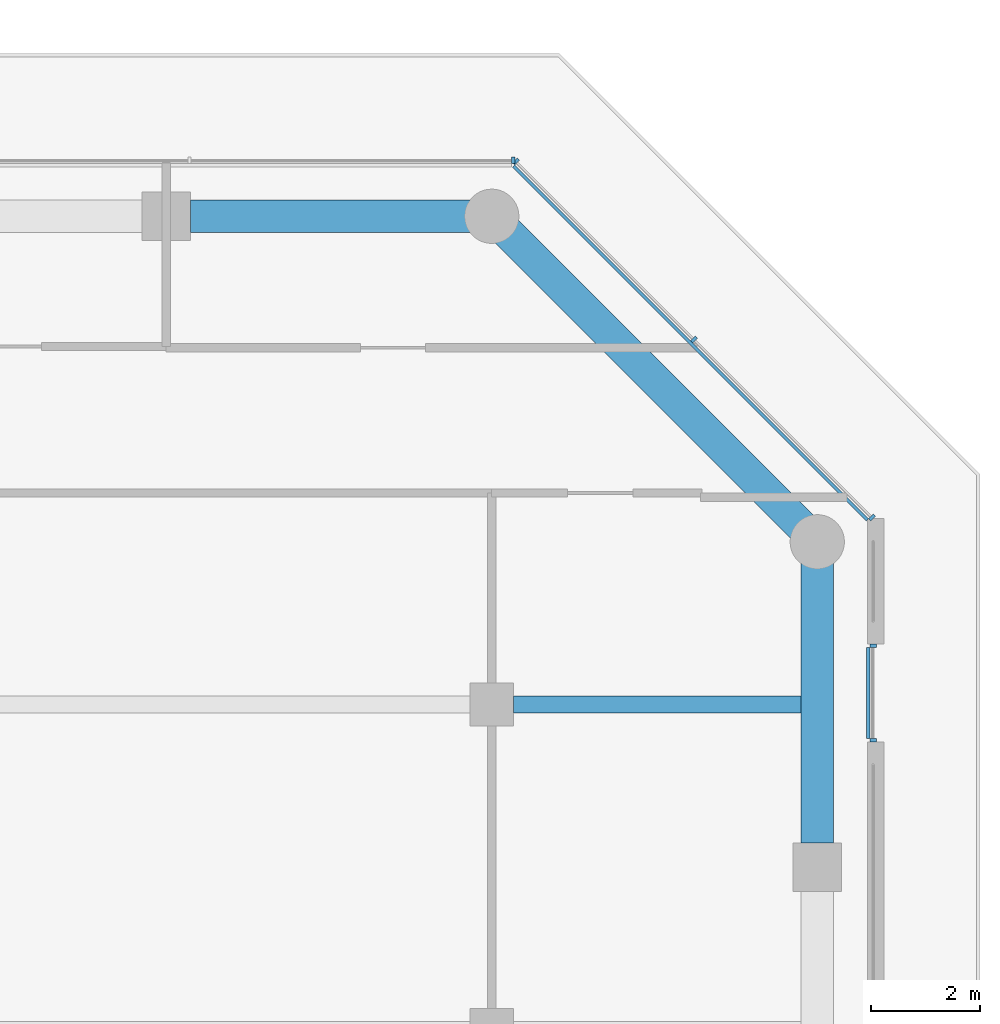
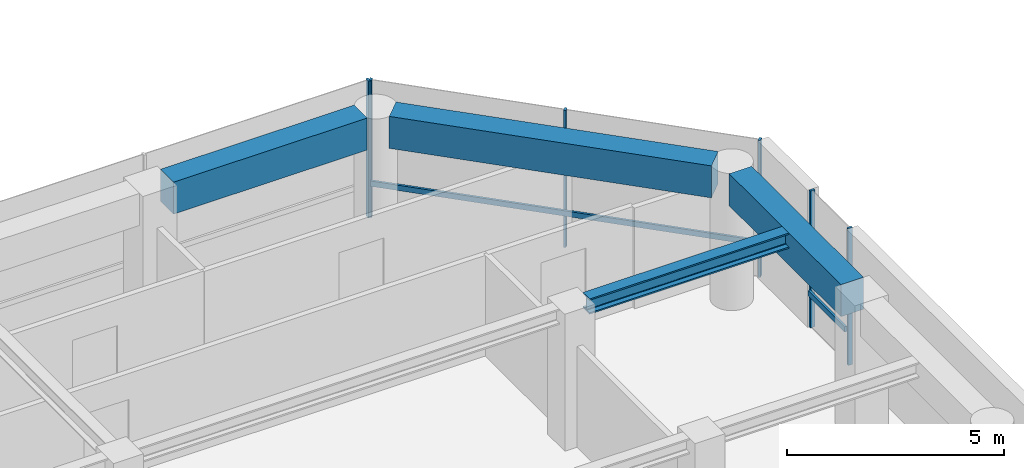
# One storey, part 9 of 24: 8 members, 4 beams, 3 elements without a shape of their own.
"""IFC4 building model written with IfcOpenShell, lengths in metres."""

import ifcopenshell
import ifcopenshell.guid

model = None  # the IFC model being written
_history = None  # IfcOwnerHistory: only IFC2X3 demands one
_inside = {}  # id of a spatial element -> (the spatial element, [elements in it])
_under = {}  # id of a project, library or spatial element -> (it, [spatial elements below it])
_declared = {}  # id of a project -> (the project, [libraries it declares])
_typed = {}  # id of a type object -> (the type object, [elements of that type])
_made_of = {}  # id of a material, layer set ... -> (it, [elements and type objects made of it])


def new_model(schema):
    """Start an empty IFC model of exactly this schema.

    Asked for "IFC4X3", IfcOpenShell would pick the latest addendum, in which some entities
    have other attributes; the version numbers below select the first issue.
    IFC2X3 requires an IfcOwnerHistory on every rooted entity: one is made here for all.
    """
    global model, _history
    if schema == "IFC4X3":
        model = ifcopenshell.file(schema_version=(4, 3, 0, 0))
    else:
        model = ifcopenshell.file(schema=schema)
    _inside.clear()
    _under.clear()
    _declared.clear()
    _typed.clear()
    _made_of.clear()
    _history = None
    if model.schema == "IFC2X3":
        org = make("IfcOrganization", Name="unknown")
        user = make(
            "IfcPersonAndOrganization",
            ThePerson=make("IfcPerson", FamilyName="unknown"),
            TheOrganization=org,
        )
        app = make(
            "IfcApplication",
            ApplicationDeveloper=org,
            Version="unknown",
            ApplicationFullName="unknown",
            ApplicationIdentifier="unknown",
        )
        _history = make(
            "IfcOwnerHistory",
            OwningUser=user,
            OwningApplication=app,
            ChangeAction="ADDED",
            CreationDate=0,
        )
    return model


def make(cls, **values):
    """One entity of the class cls with the attributes given. An attribute that is None is left unset."""
    return model.create_entity(
        cls, **{name: value for name, value in values.items() if value is not None}
    )


def rooted(cls, **values):
    """An entity with a GlobalId (a new one), such as an element, a storey or a relation."""
    return make(cls, GlobalId=ifcopenshell.guid.new(), OwnerHistory=_history, **values)


def si_unit(unit_type, name, prefix=None):
    """IfcSIUnit, for example si_unit("LENGTHUNIT", "METRE", prefix="MILLI")."""
    return make("IfcSIUnit", UnitType=unit_type, Prefix=prefix, Name=name)


def assignment(units):
    """IfcUnitAssignment: the units of a project."""
    return None if units is None else make("IfcUnitAssignment", Units=units)


def point(xyz):
    """IfcCartesianPoint."""
    return None if xyz is None else make("IfcCartesianPoint", Coordinates=xyz)


def direction(xyz):
    """IfcDirection."""
    return None if xyz is None else make("IfcDirection", DirectionRatios=xyz)


def frame(location, z_axis=None, x_axis=None):
    """IfcAxis2Placement3D, a coordinate frame: its origin and axes. An axis left out is left unset."""
    return make(
        "IfcAxis2Placement3D",
        Location=point(location),
        Axis=direction(z_axis),
        RefDirection=direction(x_axis),
    )


def frame_2d(location, x_axis=None):
    """IfcAxis2Placement2D, a coordinate frame in the plane: its origin and x axis."""
    return make(
        "IfcAxis2Placement2D", Location=point(location), RefDirection=direction(x_axis)
    )


def origin():
    """The frame at (0, 0, 0) with its axes left unset."""
    return frame((0.0, 0.0, 0.0))


def origin_2d():
    """The frame at (0, 0) in the plane with its x axis left unset."""
    return frame_2d((0.0, 0.0))


def place(relative_to, where):
    """IfcLocalPlacement: puts the frame where relative to a parent placement (None: the world)."""
    return make(
        "IfcLocalPlacement", PlacementRelTo=relative_to, RelativePlacement=where
    )


def context(
    kind, dimensions, precision=None, world=None, true_north=None, identifier=None
):
    """IfcGeometricRepresentationContext, for example the 3D "Model" context."""
    return make(
        "IfcGeometricRepresentationContext",
        ContextIdentifier=identifier,
        ContextType=kind,
        CoordinateSpaceDimension=dimensions,
        Precision=precision,
        WorldCoordinateSystem=world,
        TrueNorth=true_north,
    )


def subcontext(parent, identifier, kind, view, scale=None):
    """IfcGeometricRepresentationSubContext, for example "Body" below "Model"."""
    return make(
        "IfcGeometricRepresentationSubContext",
        ContextIdentifier=identifier,
        ContextType=kind,
        ParentContext=parent,
        TargetScale=scale,
        TargetView=view,
    )


def project(units=None, contexts=None):
    """IfcProject with its units and contexts."""
    return rooted(
        "IfcProject",
        Name="project",
        RepresentationContexts=contexts,
        UnitsInContext=assignment(units),
    )


def spatial(cls, under=None, at=None, **own):
    """A site, building, storey or space (cls), placed at a placement, below another one or the project."""
    s = rooted(cls, ObjectPlacement=at, **own)
    if under is not None:
        _under.setdefault(under.id(), (under, []))[1].append(s)
    return s


def profile(cls, at=None, kind="AREA", **sizes):
    """A parametric profile (cls). Its sizes go by their IFC names, for example OverallWidth=200.0."""
    return make(cls, ProfileType=kind, Position=at, **sizes)


def rectangle(**sizes):
    """IfcRectangleProfileDef."""
    return profile("IfcRectangleProfileDef", **sizes)


def i_section(**sizes):
    """IfcIShapeProfileDef."""
    return profile("IfcIShapeProfileDef", **sizes)


def extrude(swept, where, along, depth):
    """IfcExtrudedAreaSolid: the profile swept, set in the frame where, extruded along a direction by depth."""
    return make(
        "IfcExtrudedAreaSolid",
        SweptArea=swept,
        Position=where,
        ExtrudedDirection=direction(along),
        Depth=depth,
    )


def shape(context_of_items, identifier, shape_type, items):
    """IfcShapeRepresentation: the items that make up one representation, for example the "Body"."""
    return make(
        "IfcShapeRepresentation",
        ContextOfItems=context_of_items,
        RepresentationIdentifier=identifier,
        RepresentationType=shape_type,
        Items=items,
    )


def material(Name=None, Category=None):
    """IfcMaterial."""
    return make("IfcMaterial", Name=Name, Category=Category)


def layer(
    of_material, thickness, ventilated=None, Name=None, Category=None, Priority=None
):
    """IfcMaterialLayer: one layer of a wall or slab, of a material (None: an air gap)."""
    return make(
        "IfcMaterialLayer",
        Material=of_material,
        LayerThickness=thickness,
        IsVentilated=ventilated,
        Name=Name,
        Category=Category,
        Priority=Priority,
    )


def layer_set(layers, Name=None):
    """IfcMaterialLayerSet."""
    return make("IfcMaterialLayerSet", MaterialLayers=layers, LayerSetName=Name)


def material_profile(
    of_material, cross_section, Name=None, Category=None, Priority=None
):
    """IfcMaterialProfile: a cross section and its material."""
    return make(
        "IfcMaterialProfile",
        Name=Name,
        Material=of_material,
        Profile=cross_section,
        Priority=Priority,
        Category=Category,
    )


def profile_set(profiles, Name=None, composite=None):
    """IfcMaterialProfileSet."""
    return make(
        "IfcMaterialProfileSet",
        Name=Name,
        MaterialProfiles=profiles,
        CompositeProfile=composite,
    )


def made_of(thing, what):
    """Note that an element or type object is made of a material, layer set ...; save() writes the relation."""
    if what is not None:
        _made_of.setdefault(what.id(), (what, []))[1].append(thing)
    return thing


def type_object(cls, material=None, **own):
    """A type object (cls), such as IfcWallType, which elements share."""
    return made_of(rooted(cls, **own), material)


def element(
    cls,
    number,
    at=None,
    inside=None,
    cuts=None,
    type_object=None,
    material=None,
    context=None,
    identifier="Body",
    shape_type=None,
    held_by="IfcProductDefinitionShape",
    body=None,
    shapes=None,
    **own,
):
    """One element of the class cls, such as IfcWall. Its Tag is "e" and its number.

    at: its placement. inside: the storey or other place that contains it. cuts: it is an
    opening in that element (IfcRelVoidsElement). A single representation is given by context,
    identifier, shape_type and body (its items); several are given by shapes. held_by: the class
    of the entity that holds the representations. save() writes the other relations.
    """
    e = rooted(cls, Tag="e%d" % number, ObjectPlacement=at, **own)
    if body is not None:
        shapes = [shape(context, identifier, shape_type, body)]
    if shapes is not None:
        e.Representation = make(held_by, Representations=shapes)
    if inside is not None:
        _inside.setdefault(inside.id(), (inside, []))[1].append(e)
    if cuts is not None:
        rooted(
            "IfcRelVoidsElement", RelatingBuildingElement=cuts, RelatedOpeningElement=e
        )
    if type_object is not None:
        _typed.setdefault(type_object.id(), (type_object, []))[1].append(e)
    return made_of(e, material)


def aggregate(whole, parts):
    """IfcRelAggregates: a whole, such as a stair, and the parts it consists of."""
    return rooted("IfcRelAggregates", RelatingObject=whole, RelatedObjects=parts)


def save(model, path):
    """Write the relations noted so far, then the file.

    IfcRelAggregates (storeys below a building ...), IfcRelContainedInSpatialStructure (elements
    in a storey), IfcRelDefinesByType, IfcRelAssociatesMaterial and IfcRelDeclares: one each for
    every whole, place, type object, material and project.
    """
    for whole, parts in _under.values():
        aggregate(whole, parts)
    for where, things in _inside.values():
        rooted(
            "IfcRelContainedInSpatialStructure",
            RelatedElements=things,
            RelatingStructure=where,
        )
    for kind, things in _typed.values():
        rooted("IfcRelDefinesByType", RelatedObjects=things, RelatingType=kind)
    for what, things in _made_of.values():
        rooted("IfcRelAssociatesMaterial", RelatedObjects=things, RelatingMaterial=what)
    for by, libraries in _declared.values():
        rooted("IfcRelDeclares", RelatingContext=by, RelatedDefinitions=libraries)
    model.write(path)


model = new_model("IFC4")

# Units and contexts
model_context = context("Model", 3, precision=1e-05, world=origin(), true_north=direction((0.0, 1.0)))
body_context = subcontext(model_context, "Body", "Model", "MODEL_VIEW")
ifc_project = project(units=[si_unit("LENGTHUNIT", "METRE"), si_unit("AREAUNIT", "SQUARE_METRE"), si_unit("VOLUMEUNIT", "CUBIC_METRE"), si_unit("PLANEANGLEUNIT", "RADIAN"), si_unit("MASSUNIT", "GRAM", prefix="KILO")], contexts=[model_context])

# Site, building, storey
site_placement = place(None, origin())
site = spatial("IfcSite", under=ifc_project, at=site_placement, CompositionType="ELEMENT")
building_placement = place(site_placement, origin())
building = spatial("IfcBuilding", under=site, at=building_placement, Name="Welwitschia Terrace Campus", CompositionType="ELEMENT")
storey_placement = place(building_placement, frame((0.0, 0.0, 125.60009765625)))
storey = spatial("IfcBuildingStorey", under=building, at=storey_placement, Name="L28", CompositionType="ELEMENT", Elevation=125.60009765625)

# Beam
ifc_material_1 = material(Name="Steel S355", Category="steel")
ifc_material_profile_1 = material_profile(ifc_material_1, i_section(OverallWidth=0.306884765625, OverallDepth=0.431884765625, WebThickness=0.02099609375, FlangeThickness=0.0400390625, FilletRadius=0.027099609375, at=origin_2d()))
ifc_profile_set_1 = profile_set([ifc_material_profile_1], Name="Steel S355")
beam_type_1 = type_object("IfcBeamType", Name="Interior girder HE 400 M", PredefinedType="BEAM", material=ifc_profile_set_1)
beam_1_placement = place(storey_placement, frame((48.400390625, 19.0, 3.6337890625), z_axis=(1.0, 0.0, 0.0), x_axis=(0.0, 1.0, 0.0)))
element("IfcBeam", 1, at=beam_1_placement, inside=storey, type_object=beam_type_1, Name="Girder GB3", PredefinedType="BEAM", context=body_context, shape_type="SweptSolid", body=[
    extrude(i_section(OverallWidth=0.306884765625, OverallDepth=0.431884765625, WebThickness=0.02099609375, FlangeThickness=0.0400390625, FilletRadius=0.027099609375, at=origin_2d()), origin(), (0.0, 0.0, 1.0), 5.609619140625),
])

# Curtain wall, members
ifc_material_2 = material(Name="Bronze anodised aluminium", Category="aluminium")
ifc_layer = layer(ifc_material_2, 0.1201171875)
ifc_layer_set = layer_set([ifc_layer], Name="Bronze anodised aluminium")
curtain_wall_type = type_object("IfcCurtainWallType", Name="Curtain wall CW2 tower 6000", PredefinedType="NOTDEFINED", material=ifc_layer_set)
curtain_wall_1_placement = place(storey_placement, origin())
curtain_wall_1 = element("IfcCurtainWall", 2, at=curtain_wall_1_placement, inside=storey, type_object=curtain_wall_type, Name="CW L28.6.S0", PredefinedType="NOTDEFINED")
ifc_material_3 = material(Name="Bronze anodised aluminium", Category="aluminium")
ifc_material_profile_2 = material_profile(ifc_material_3, rectangle(XDim=0.1201171875, YDim=0.06005859375, at=origin_2d()))
ifc_profile_set_2 = profile_set([ifc_material_profile_2], Name="Bronze anodised aluminium")
member_type_1 = type_object("IfcMemberType", Name="Mullion 60x120", PredefinedType="MULLION", material=ifc_profile_set_2)
member_1_placement = place(storey_placement, frame((55.030029296875, 18.34375, 0.0), z_axis=(0.0, 0.0, 1.0), x_axis=(-1.0, 0.0, 0.0)))
member_1 = element("IfcMember", 3, at=member_1_placement, type_object=member_type_1, Name="Mullion L28.6.S0.0", PredefinedType="MULLION", context=body_context, shape_type="SweptSolid", body=[
    extrude(rectangle(XDim=0.1201171875, YDim=0.06005859375, at=origin_2d()), origin(), (0.0, 0.0, 1.0), 3.849853515625),
])
member_2_placement = place(storey_placement, frame((55.030029296875, 20.083740234375, 0.0), z_axis=(0.0, 0.0, 1.0), x_axis=(-1.0, 0.0, 0.0)))
member_2 = element("IfcMember", 4, at=member_2_placement, type_object=member_type_1, Name="Mullion L28.6.S0.1", PredefinedType="MULLION", context=body_context, shape_type="SweptSolid", body=[
    extrude(rectangle(XDim=0.1201171875, YDim=0.06005859375, at=origin_2d()), origin(), (0.0, 0.0, 1.0), 3.849853515625),
])

curtain_wall_2_placement = place(storey_placement, origin())
curtain_wall_2 = element("IfcCurtainWall", 5, at=curtain_wall_2_placement, inside=storey, type_object=curtain_wall_type, Name="CW L28.7.0", PredefinedType="NOTDEFINED")
member_3_placement = place(storey_placement, frame((55.0087890625, 22.44775390625, 0.0), z_axis=(0.0, 0.0, 1.0), x_axis=(-0.707106781187, -0.707106781187, 0.0)))
member_3 = element("IfcMember", 6, at=member_3_placement, type_object=member_type_1, Name="Mullion L28.7.0.0", PredefinedType="MULLION", context=body_context, shape_type="SweptSolid", body=[
    extrude(rectangle(XDim=0.1201171875, YDim=0.06005859375, at=origin_2d()), origin(), (0.0, 0.0, 1.0), 3.849853515625),
])
member_4_placement = place(storey_placement, frame((51.728271484375, 25.728271484375, 0.0), z_axis=(0.0, 0.0, 1.0), x_axis=(-0.707106781187, -0.707106781187, 0.0)))
member_4 = element("IfcMember", 7, at=member_4_placement, type_object=member_type_1, Name="Mullion L28.7.0.1", PredefinedType="MULLION", context=body_context, shape_type="SweptSolid", body=[
    extrude(rectangle(XDim=0.1201171875, YDim=0.06005859375, at=origin_2d()), origin(), (0.0, 0.0, 1.0), 3.849853515625),
])
member_5_placement = place(storey_placement, frame((48.44775390625, 29.0087890625, 0.0), z_axis=(0.0, 0.0, 1.0), x_axis=(-0.707106781187, -0.707106781187, 0.0)))
member_5 = element("IfcMember", 8, at=member_5_placement, type_object=member_type_1, Name="Mullion L28.7.0.2", PredefinedType="MULLION", context=body_context, shape_type="SweptSolid", body=[
    extrude(rectangle(XDim=0.1201171875, YDim=0.06005859375, at=origin_2d()), origin(), (0.0, 0.0, 1.0), 3.849853515625),
])

# Curtain wall, member
curtain_wall_3_placement = place(storey_placement, origin())
curtain_wall_3 = element("IfcCurtainWall", 9, at=curtain_wall_3_placement, inside=storey, type_object=curtain_wall_type, Name="CW L28.8.0", PredefinedType="NOTDEFINED")
member_6_placement = place(storey_placement, frame((48.396728515625, 29.030029296875, 0.0), z_axis=(0.0, 0.0, 1.0), x_axis=(0.0, -1.0, 0.0)))
member_6 = element("IfcMember", 10, at=member_6_placement, type_object=member_type_1, Name="Mullion L28.8.0.0", PredefinedType="MULLION", context=body_context, shape_type="SweptSolid", body=[
    extrude(rectangle(XDim=0.1201171875, YDim=0.06005859375, at=origin_2d()), origin(), (0.0, 0.0, 1.0), 3.849853515625),
])
aggregate(curtain_wall_3, [member_6])

# Beams
ifc_material_4 = material(Name="Concrete C60/75", Category="concrete")
ifc_material_profile_3 = material_profile(ifc_material_4, rectangle(XDim=0.60009765625, YDim=0.89990234375, at=origin_2d()))
ifc_profile_set_3 = profile_set([ifc_material_profile_3], Name="Concrete C60/75")
beam_type_2 = type_object("IfcBeamType", Name="Ring spandrel 600x900", PredefinedType="SPANDREL", material=ifc_profile_set_3)
beam_2_placement = place(storey_placement, frame((54.0, 16.450439453125, 3.39990234375), z_axis=(0.0, 1.0, 0.0), x_axis=(-1.0, 0.0, 0.0)))
element("IfcBeam", 11, at=beam_2_placement, inside=storey, type_object=beam_type_2, Name="Spandrel SP2", PredefinedType="SPANDREL", context=body_context, shape_type="SweptSolid", body=[
    extrude(rectangle(XDim=0.60009765625, YDim=0.89990234375, at=origin_2d()), origin(), (0.0, 0.0, 1.0), 5.149169921875),
])
beam_3_placement = place(storey_placement, frame((53.716796875, 22.283203125, 3.39990234375), z_axis=(-0.707106781187, 0.707106781187, 0.0), x_axis=(-0.707106781187, -0.707106781187, 0.0)))
element("IfcBeam", 12, at=beam_3_placement, inside=storey, type_object=beam_type_2, Name="Spandrel SP2", PredefinedType="SPANDREL", context=body_context, shape_type="SweptSolid", body=[
    extrude(rectangle(XDim=0.60009765625, YDim=0.89990234375, at=origin_2d()), origin(), (0.0, 0.0, 1.0), 7.684326171875),
])
beam_4_placement = place(storey_placement, frame((47.599609375, 28.0, 3.39990234375), z_axis=(-1.0, 0.0, 0.0), x_axis=(0.0, -1.0, 0.0)))
element("IfcBeam", 13, at=beam_4_placement, inside=storey, type_object=beam_type_2, Name="Spandrel SP2", PredefinedType="SPANDREL", context=body_context, shape_type="SweptSolid", body=[
    extrude(rectangle(XDim=0.60009765625, YDim=0.89990234375, at=origin_2d()), origin(), (0.0, 0.0, 1.0), 5.149169921875),
])

# Member
ifc_material_5 = material(Name="Bronze anodised aluminium", Category="aluminium")
ifc_material_profile_4 = material_profile(ifc_material_5, rectangle(XDim=0.06005859375, YDim=0.14990234375, at=origin_2d()))
ifc_profile_set_4 = profile_set([ifc_material_profile_4], Name="Bronze anodised aluminium")
member_type_2 = type_object("IfcMemberType", Name="Transom 60x150", PredefinedType="USERDEFINED", material=ifc_profile_set_4)
member_7_placement = place(storey_placement, frame((54.93994140625, 18.373779296875, 1.0), z_axis=(0.0, 1.0, 0.0), x_axis=(-1.0, 0.0, 0.0)))
member_7 = element("IfcMember", 14, at=member_7_placement, type_object=member_type_2, Name="Transom L28.6.S0", ObjectType="TRANSOM", PredefinedType="USERDEFINED", context=body_context, shape_type="SweptSolid", body=[
    extrude(rectangle(XDim=0.06005859375, YDim=0.14990234375, at=origin_2d()), origin(), (0.0, 0.0, 1.0), 1.68017578125),
])

aggregate(curtain_wall_1, [member_1, member_2, member_7])

member_8_placement = place(storey_placement, frame((54.923828125, 22.405517578125, 1.0), z_axis=(-0.707106781187, 0.707106781187, 0.0), x_axis=(-0.707106781187, -0.707106781187, 0.0)))
member_8 = element("IfcMember", 15, at=member_8_placement, type_object=member_type_2, Name="Transom L28.7.0", ObjectType="TRANSOM", PredefinedType="USERDEFINED", context=body_context, shape_type="SweptSolid", body=[
    extrude(rectangle(XDim=0.06005859375, YDim=0.14990234375, at=origin_2d()), origin(), (0.0, 0.0, 1.0), 9.21826171875),
])

aggregate(curtain_wall_2, [member_3, member_4, member_5, member_8])

save(model, "model.ifc")
